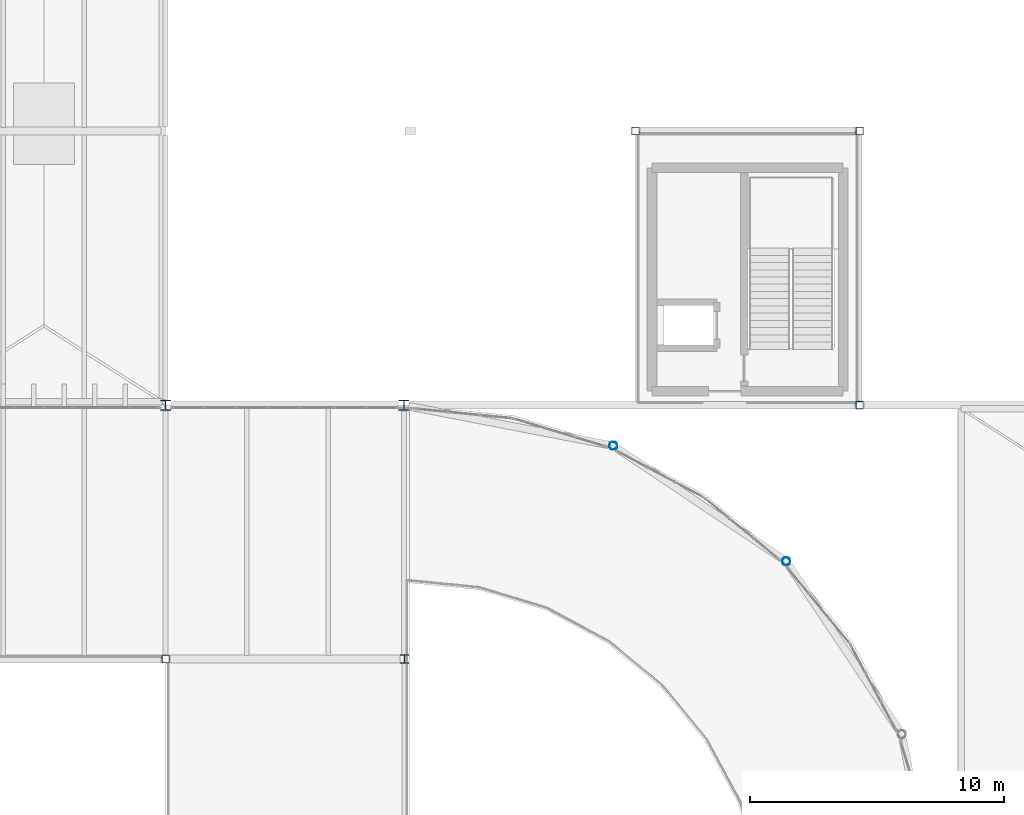
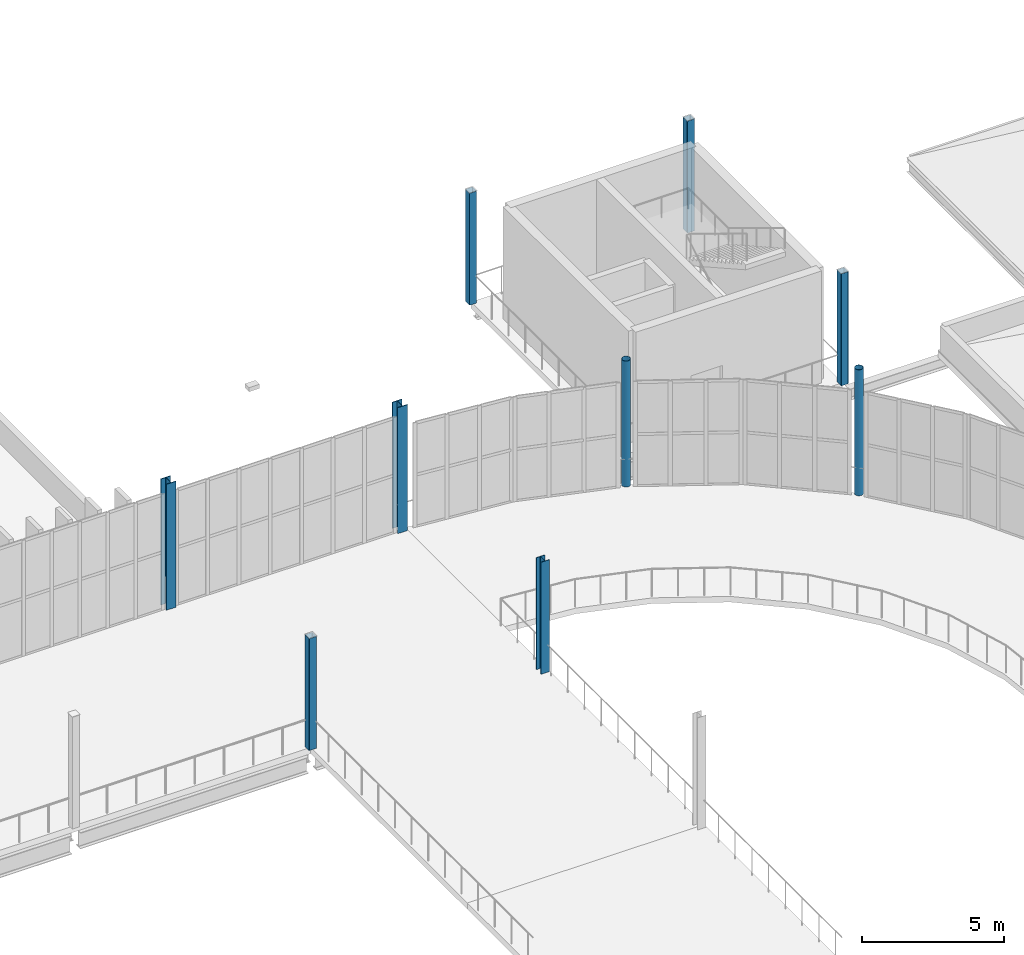
# One storey, part 17 of 112: 9 columns.
"""IFC4 building model written with IfcOpenShell, lengths in metres."""

from ifc_helpers import new_model, si_unit, direction, frame, origin, origin_2d, place, context, subcontext, project, spatial, hollow_rectangle, hollow_circle, i_section, extrude, material, material_profile, profile_set, type_object, element, save


model = new_model("IFC4")

# Units and contexts
model_context = context("Model", 3, precision=1e-05, world=origin(), true_north=direction((0.0, 1.0)))
body_context = subcontext(model_context, "Body", "Model", "MODEL_VIEW")
ifc_project = project(units=[si_unit("LENGTHUNIT", "METRE"), si_unit("AREAUNIT", "SQUARE_METRE"), si_unit("VOLUMEUNIT", "CUBIC_METRE"), si_unit("PLANEANGLEUNIT", "RADIAN"), si_unit("MASSUNIT", "GRAM", prefix="KILO")], contexts=[model_context])

# Site, building, storey
site_placement = place(None, origin())
site = spatial("IfcSite", under=ifc_project, at=site_placement, CompositionType="ELEMENT")
building_placement = place(site_placement, origin())
building = spatial("IfcBuilding", under=site, at=building_placement, Name="Yeouljin Market Hall", CompositionType="ELEMENT")
storey_placement = place(building_placement, frame((0.0, 0.0, 6.0)))
storey = spatial("IfcBuildingStorey", under=building, at=storey_placement, Name="L01", CompositionType="ELEMENT", Elevation=6.0)

# Columns
ifc_material_1 = material(Name="Steel SM355", Category="steel")
ifc_material_profile_1 = material_profile(ifc_material_1, hollow_circle(Radius=0.1591796875, WallThickness=0.010009765625, at=origin_2d()), Name="CHS-318.5x10")
ifc_profile_set_1 = profile_set([ifc_material_profile_1], Name="Steel SM355")
column_type_1 = type_object("IfcColumnType", Name="Col_CHS-318.5x10", PredefinedType="COLUMN", material=ifc_profile_set_1)
for number, where, z_axis, x_axis, name in (
    (1, (155.84912109375, 71.84912109375, 0.0), (0.0, 0.0, 1.0), (1.0, 0.0, 0.0), "Column AP-E12 (L01)"),
    (2, (149.036376953125, 76.401611328125, 0.0), (0.0, 0.0, 1.0), (1.0, 0.0, 0.0), "Column AP-E14 (L01)"),
):
    element("IfcColumn", number, at=place(storey_placement, frame(where, z_axis=z_axis, x_axis=x_axis)), inside=storey, type_object=column_type_1, Name=name, PredefinedType="COLUMN", context=body_context, shape_type="SweptSolid", body=[
        extrude(hollow_circle(Radius=0.1591796875, WallThickness=0.010009765625, at=origin_2d()), origin(), (0.0, 0.0, 1.0), 5.39990234375),
    ])
ifc_material_2 = material(Name="Steel SM355", Category="steel")
ifc_material_profile_2 = material_profile(ifc_material_2, i_section(OverallWidth=0.35009765625, OverallDepth=0.35009765625, WebThickness=0.011962890625, FlangeThickness=0.01904296875, FilletRadius=0.02001953125, at=origin_2d()), Name="H-350x350x12x19")
ifc_profile_set_2 = profile_set([ifc_material_profile_2], Name="Steel SM355")
column_type_2 = type_object("IfcColumnType", Name="Col_H-350x350x12x19", PredefinedType="COLUMN", material=ifc_profile_set_2)
column_placement = place(storey_placement, frame((140.81005859375, 68.0, 0.0), z_axis=(0.0, 0.0, 1.0), x_axis=(1.0, 0.0, 0.0)))
element("IfcColumn", 3, at=column_placement, inside=storey, type_object=column_type_2, Name="Column G-16-07 (L01)", PredefinedType="COLUMN", context=body_context, shape_type="SweptSolid", body=[
    extrude(i_section(OverallWidth=0.35009765625, OverallDepth=0.35009765625, WebThickness=0.011962890625, FlangeThickness=0.01904296875, FilletRadius=0.02001953125, at=origin_2d()), origin(), (0.0, 0.0, 1.0), 4.800048828125),
])
ifc_material_3 = material(Name="Steel SM355", Category="steel")
ifc_material_profile_3 = material_profile(ifc_material_3, i_section(OverallWidth=0.39990234375, OverallDepth=0.39990234375, WebThickness=0.012939453125, FlangeThickness=0.02099609375, FilletRadius=0.02197265625, at=origin_2d()), Name="H-400x400x13x21")
ifc_profile_set_3 = profile_set([ifc_material_profile_3], Name="Steel SM355")
column_type_3 = type_object("IfcColumnType", Name="Col_H-400x400x13x21", PredefinedType="COLUMN", material=ifc_profile_set_3)
for number, where, z_axis, x_axis, name in (
    (4, (131.39990234375, 78.0, 0.0), (0.0, 0.0, 1.0), (1.0, 0.0, 0.0), "Column G-15-08 (L01)"),
    (5, (140.784912109375, 78.0, 0.0), (0.0, 0.0, 1.0), (1.0, 0.0, 0.0), "Column G-16-08 (L01)"),
):
    element("IfcColumn", number, at=place(storey_placement, frame(where, z_axis=z_axis, x_axis=x_axis)), inside=storey, type_object=column_type_3, Name=name, PredefinedType="COLUMN", context=body_context, shape_type="SweptSolid", body=[
        extrude(i_section(OverallWidth=0.39990234375, OverallDepth=0.39990234375, WebThickness=0.012939453125, FlangeThickness=0.02099609375, FilletRadius=0.02197265625, at=origin_2d()), origin(), (0.0, 0.0, 1.0), 5.39990234375),
    ])
ifc_material_4 = material(Name="Steel SM355", Category="steel")
ifc_material_profile_4 = material_profile(ifc_material_4, hollow_rectangle(XDim=0.300048828125, YDim=0.300048828125, WallThickness=0.010009765625, InnerFilletRadius=0.010009765625, OuterFilletRadius=0.01611328125, at=origin_2d()), Name="SHS-300x300x10")
ifc_profile_set_4 = profile_set([ifc_material_profile_4], Name="Steel SM355")
column_type_4 = type_object("IfcColumnType", Name="Col_SHS-300x300x10", PredefinedType="COLUMN", material=ifc_profile_set_4)
for number, where, z_axis, x_axis, name in (
    (6, (131.39990234375, 68.0, 0.0), (0.0, 0.0, 1.0), (1.0, 0.0, 0.0), "Column G-15-07 (L01)"),
    (7, (149.909912109375, 88.800048828125, 0.0), (0.0, 0.0, 1.0), (1.0, 0.0, 0.0), "Column G-18-09 (L01)"),
    (8, (158.739990234375, 78.0, 0.0), (0.0, 0.0, 1.0), (1.0, 0.0, 0.0), "Column G-19-08 (L01)"),
    (9, (158.739990234375, 88.800048828125, 0.0), (0.0, 0.0, 1.0), (1.0, 0.0, 0.0), "Column G-19-09 (L01)"),
):
    element("IfcColumn", number, at=place(storey_placement, frame(where, z_axis=z_axis, x_axis=x_axis)), inside=storey, type_object=column_type_4, Name=name, PredefinedType="COLUMN", context=body_context, shape_type="SweptSolid", body=[
        extrude(hollow_rectangle(XDim=0.300048828125, YDim=0.300048828125, WallThickness=0.010009765625, InnerFilletRadius=0.010009765625, OuterFilletRadius=0.01611328125, at=origin_2d()), origin(), (0.0, 0.0, 1.0), 4.800048828125),
    ])

save(model, "model.ifc")
